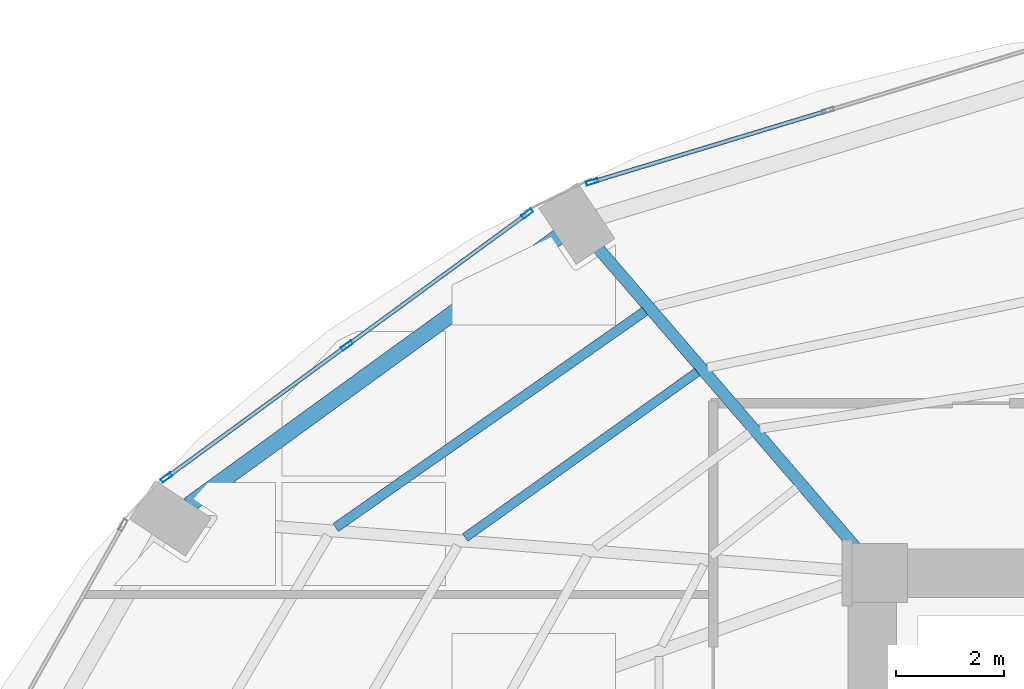
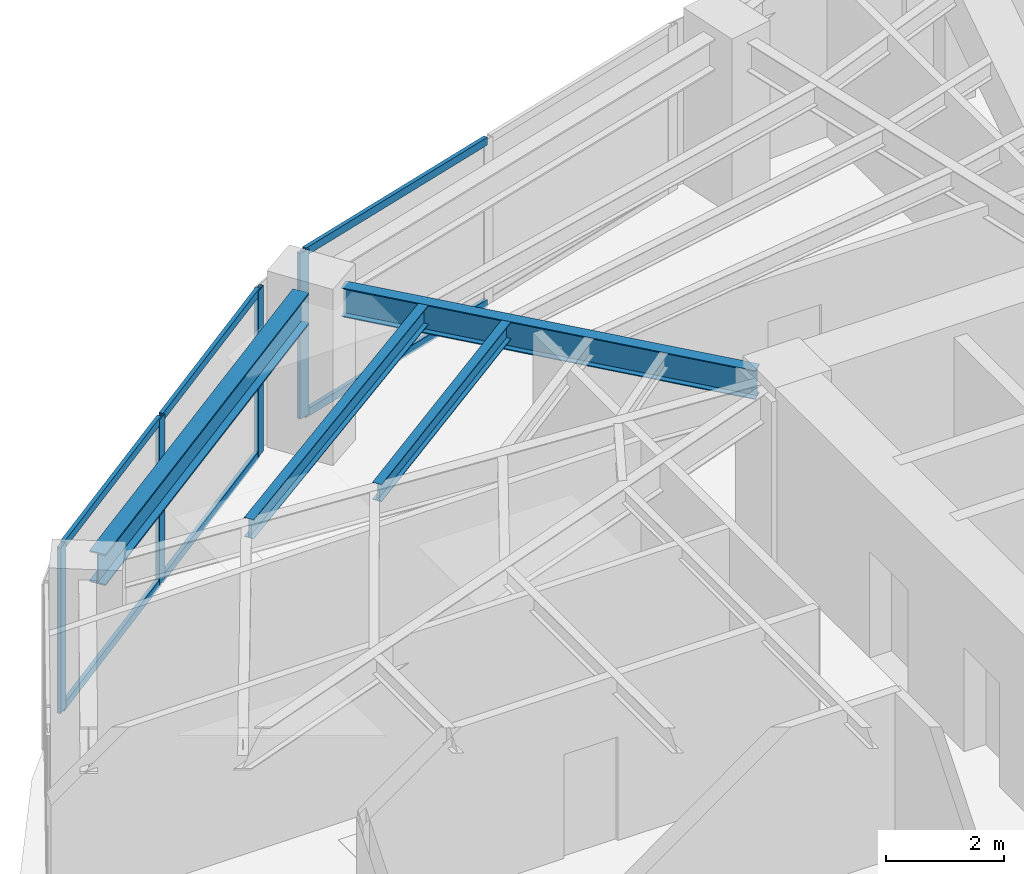
# One storey, part 14 of 25: 10 members, 4 beams, 2 elements without a shape of their own.
"""IFC4 building model written with IfcOpenShell, lengths in metres."""

from ifc_helpers import new_model, si_unit, direction, frame, origin, origin_2d, place, context, subcontext, project, spatial, hollow_rectangle, i_section, extrude, material, layer, layer_set, material_profile, profile_set, type_object, element, aggregate, save


model = new_model("IFC4")

# Units and contexts
model_context = context("Model", 3, precision=1e-05, world=origin(), true_north=direction((0.0, 1.0)))
body_context = subcontext(model_context, "Body", "Model", "MODEL_VIEW")
ifc_project = project(units=[si_unit("LENGTHUNIT", "METRE"), si_unit("AREAUNIT", "SQUARE_METRE"), si_unit("VOLUMEUNIT", "CUBIC_METRE"), si_unit("PLANEANGLEUNIT", "RADIAN"), si_unit("MASSUNIT", "GRAM", prefix="KILO")], contexts=[model_context])

# Site, building, storey
site_placement = place(None, origin())
site = spatial("IfcSite", under=ifc_project, at=site_placement, CompositionType="ELEMENT")
building_placement = place(site_placement, origin())
building = spatial("IfcBuilding", under=site, at=building_placement, Name="Lazwardi Medical Tower", CompositionType="ELEMENT")
storey_placement = place(building_placement, frame((0.0, 0.0, 43.43994140625)))
storey = spatial("IfcBuildingStorey", under=building, at=storey_placement, Name="L10", CompositionType="ELEMENT", Elevation=43.43994140625)

# Beams
ifc_material_1 = material(Name="Steel S355", Category="steel")
ifc_material_profile_1 = material_profile(ifc_material_1, i_section(OverallWidth=0.300048828125, OverallDepth=0.64990234375, WebThickness=0.01611328125, FlangeThickness=0.031005859375, at=origin_2d()), Name="HEB 650")
ifc_profile_set_1 = profile_set([ifc_material_profile_1], Name="Steel S355")
beam_type_1 = type_object("IfcBeamType", Name="BM-RB-Z1", PredefinedType="BEAM", material=ifc_profile_set_1)
beam_1_placement = place(storey_placement, frame((20.47900390625, 41.83740234375, 3.10302734375), z_axis=(-0.80939338516, -0.5872668457, 0.0), x_axis=(0.5872668457, -0.80939338516, 0.0)))
element("IfcBeam", 1, at=beam_1_placement, inside=storey, type_object=beam_type_1, Name="Ring beam RB-02 B10 L10", PredefinedType="BEAM", context=body_context, shape_type="SweptSolid", body=[
    extrude(i_section(OverallWidth=0.300048828125, OverallDepth=0.64990234375, WebThickness=0.01611328125, FlangeThickness=0.031005859375, at=origin_2d()), origin(), (0.0, 0.0, 1.0), 8.47412109375),
])
ifc_material_profile_2 = material_profile(ifc_material_1, i_section(OverallWidth=0.219970703125, OverallDepth=0.60009765625, WebThickness=0.011962890625, FlangeThickness=0.01904296875, at=origin_2d()), Name="IPE 600")
ifc_profile_set_2 = profile_set([ifc_material_profile_2], Name="Steel S355")
beam_type_2 = type_object("IfcBeamType", Name="BM-RG-W1", PredefinedType="BEAM", material=ifc_profile_set_2)
beam_2_placement = place(storey_placement, frame((21.197509765625, 41.644287109375, 3.128173828125), z_axis=(0.652368190463, -0.757902199543, 0.0), x_axis=(0.757902199543, 0.652368190463, 0.0)))
element("IfcBeam", 2, at=beam_2_placement, inside=storey, type_object=beam_type_2, Name="Radial girder RG-02 R10 L10", PredefinedType="BEAM", context=body_context, shape_type="SweptSolid", body=[
    extrude(i_section(OverallWidth=0.219970703125, OverallDepth=0.60009765625, WebThickness=0.011962890625, FlangeThickness=0.01904296875, at=origin_2d()), origin(), (0.0, 0.0, 1.0), 7.43994140625),
])
ifc_material_profile_3 = material_profile(ifc_material_1, i_section(OverallWidth=0.179931640625, OverallDepth=0.39990234375, WebThickness=0.008544921875, FlangeThickness=0.013427734375, at=origin_2d()), Name="IPE 400")
ifc_profile_set_3 = profile_set([ifc_material_profile_3], Name="Steel S355")
beam_type_3 = type_object("IfcBeamType", Name="BM-SJ-01", PredefinedType="JOIST", material=ifc_profile_set_3)
beam_3_placement = place(storey_placement, frame((22.08203125, 40.456298828125, 3.22802734375), z_axis=(-0.81942522483, -0.573186096231, 0.0), x_axis=(0.573186096231, -0.81942522483, 0.0)))
element("IfcBeam", 3, at=beam_3_placement, inside=storey, type_object=beam_type_3, Name="Secondary joist SJ-01 R1 B10 L10", PredefinedType="JOIST", context=body_context, shape_type="SweptSolid", body=[
    extrude(i_section(OverallWidth=0.179931640625, OverallDepth=0.39990234375, WebThickness=0.008544921875, FlangeThickness=0.013427734375, at=origin_2d()), origin(), (0.0, 0.0, 1.0), 6.999755859375),
])
ifc_material_profile_4 = material_profile(ifc_material_1, i_section(OverallWidth=0.169921875, OverallDepth=0.360107421875, WebThickness=0.008056640625, FlangeThickness=0.0126953125, at=origin_2d()), Name="IPE 360")
ifc_profile_set_4 = profile_set([ifc_material_profile_4], Name="Steel S355")
beam_type_4 = type_object("IfcBeamType", Name="BM-SJ-02", PredefinedType="JOIST", material=ifc_profile_set_4)
beam_4_placement = place(storey_placement, frame((23.05322265625, 39.327880859375, 3.248046875), z_axis=(-0.814341377136, -0.580386183058, 0.0), x_axis=(0.580386183058, -0.814341377136, 0.0)))
element("IfcBeam", 4, at=beam_4_placement, inside=storey, type_object=beam_type_4, Name="Secondary joist SJ-02 R2 B10 L10", PredefinedType="JOIST", context=body_context, shape_type="SweptSolid", body=[
    extrude(i_section(OverallWidth=0.169921875, OverallDepth=0.360107421875, WebThickness=0.008056640625, FlangeThickness=0.0126953125, at=origin_2d()), origin(), (0.0, 0.0, 1.0), 5.28759765625),
])

# Curtain wall, member
ifc_material_2 = material(Name="Anodised bronze aluminium and solar control glazing", Category="aluminium")
ifc_layer = layer(ifc_material_2, 0.199951171875)
ifc_layer_set = layer_set([ifc_layer], Name="Anodised bronze aluminium and solar control glazing")
curtain_wall_type = type_object("IfcCurtainWallType", Name="CW-SYS-02", PredefinedType="NOTDEFINED", material=ifc_layer_set)
curtain_wall_1_placement = place(storey_placement, origin())
curtain_wall_1 = element("IfcCurtainWall", 5, at=curtain_wall_1_placement, inside=storey, type_object=curtain_wall_type, Name="L10 Unitised bronze curtain wall CW-02", PredefinedType="NOTDEFINED")
ifc_material_3 = material(Name="Anodised bronze aluminium", Category="aluminium")
ifc_material_profile_5 = material_profile(ifc_material_3, hollow_rectangle(XDim=0.074951171875, YDim=0.219970703125, WallThickness=0.00390625, at=origin_2d()), Name="ALU-MULLION 220x75x4")
ifc_profile_set_5 = profile_set([ifc_material_profile_5], Name="Anodised bronze aluminium")
member_type_1 = type_object("IfcMemberType", Name="CW-MUL-01", PredefinedType="MULLION", material=ifc_profile_set_5)
member_1_placement = place(storey_placement, frame((21.1015625, 42.853271484375, 0.0), z_axis=(0.0, 0.0, 1.0), x_axis=(0.2898956909, -0.957058247129, 0.0)))
member_1 = element("IfcMember", 6, at=member_1_placement, type_object=member_type_1, Name="CW-02 mullion 3", PredefinedType="MULLION", context=body_context, shape_type="SweptSolid", body=[
    extrude(hollow_rectangle(XDim=0.074951171875, YDim=0.219970703125, WallThickness=0.00390625, at=origin_2d()), origin(), (0.0, 0.0, 1.0), 3.427978515625),
])

# Curtain wall, members
curtain_wall_2_placement = place(storey_placement, origin())
curtain_wall_2 = element("IfcCurtainWall", 7, at=curtain_wall_2_placement, inside=storey, type_object=curtain_wall_type, Name="L10 Unitised bronze curtain wall CW-02", PredefinedType="NOTDEFINED")
member_2_placement = place(storey_placement, frame((19.9013671875, 42.26611328125, 0.0), z_axis=(0.0, 0.0, 1.0), x_axis=(0.590289307341, -0.807191757663, 0.0)))
member_2 = element("IfcMember", 8, at=member_2_placement, type_object=member_type_1, Name="CW-02 mullion 1", PredefinedType="MULLION", context=body_context, shape_type="SweptSolid", body=[
    extrude(hollow_rectangle(XDim=0.074951171875, YDim=0.219970703125, WallThickness=0.00390625, at=origin_2d()), origin(), (0.0, 0.0, 1.0), 3.427978515625),
])
member_3_placement = place(storey_placement, frame((16.5556640625, 39.8193359375, 0.0), z_axis=(0.0, 0.0, 1.0), x_axis=(0.590289307341, -0.807191757663, 0.0)))
member_3 = element("IfcMember", 9, at=member_3_placement, type_object=member_type_1, Name="CW-02 mullion 2", PredefinedType="MULLION", context=body_context, shape_type="SweptSolid", body=[
    extrude(hollow_rectangle(XDim=0.074951171875, YDim=0.219970703125, WallThickness=0.00390625, at=origin_2d()), origin(), (0.0, 0.0, 1.0), 3.427978515625),
])
member_4_placement = place(storey_placement, frame((13.209716796875, 37.37255859375, 0.0), z_axis=(0.0, 0.0, 1.0), x_axis=(0.590289307341, -0.807191757663, 0.0)))
member_4 = element("IfcMember", 10, at=member_4_placement, type_object=member_type_1, Name="CW-02 mullion 3", PredefinedType="MULLION", context=body_context, shape_type="SweptSolid", body=[
    extrude(hollow_rectangle(XDim=0.074951171875, YDim=0.219970703125, WallThickness=0.00390625, at=origin_2d()), origin(), (0.0, 0.0, 1.0), 3.427978515625),
])

# Member
ifc_material_profile_6 = material_profile(ifc_material_3, hollow_rectangle(XDim=0.074951171875, YDim=0.159912109375, WallThickness=0.00390625, at=origin_2d()), Name="ALU-TRANSOM 160x75x4")
ifc_profile_set_6 = profile_set([ifc_material_profile_6], Name="Anodised bronze aluminium")
member_type_2 = type_object("IfcMemberType", Name="CW-TRN-01", PredefinedType="USERDEFINED", material=ifc_profile_set_6)
member_5_placement = place(storey_placement, frame((25.44091796875, 44.16748046875, 0.03759765625), z_axis=(-0.957062297904, -0.289882317383, 0.0), x_axis=(0.289882317383, -0.957062297904, 0.0)))
member_5 = element("IfcMember", 11, at=member_5_placement, type_object=member_type_2, Name="CW-02 transom 2.1", ObjectType="TRANSOM", PredefinedType="USERDEFINED", context=body_context, shape_type="SweptSolid", body=[
    extrude(hollow_rectangle(XDim=0.074951171875, YDim=0.159912109375, WallThickness=0.00390625, at=origin_2d()), origin(), (0.0, 0.0, 1.0), 4.49658203125),
])

member_6_placement = place(storey_placement, frame((25.44091796875, 44.16748046875, 3.390625), z_axis=(-0.957062297904, -0.289882317383, 0.0), x_axis=(0.289882317383, -0.957062297904, 0.0)))
member_6 = element("IfcMember", 12, at=member_6_placement, type_object=member_type_2, Name="CW-02 transom 2.2", ObjectType="TRANSOM", PredefinedType="USERDEFINED", context=body_context, shape_type="SweptSolid", body=[
    extrude(hollow_rectangle(XDim=0.074951171875, YDim=0.159912109375, WallThickness=0.00390625, at=origin_2d()), origin(), (0.0, 0.0, 1.0), 4.49658203125),
])

aggregate(curtain_wall_1, [member_1, member_5, member_6])

member_7_placement = place(storey_placement, frame((19.87109375, 42.243896484375, 0.03759765625), z_axis=(-0.807197636578, -0.590281268128, 0.0), x_axis=(0.590281268128, -0.807197636578, 0.0)))
member_7 = element("IfcMember", 13, at=member_7_placement, type_object=member_type_2, Name="CW-02 transom 1.1", ObjectType="TRANSOM", PredefinedType="USERDEFINED", context=body_context, shape_type="SweptSolid", body=[
    extrude(hollow_rectangle(XDim=0.074951171875, YDim=0.159912109375, WallThickness=0.00390625, at=origin_2d()), origin(), (0.0, 0.0, 1.0), 4.06982421875),
])

member_8_placement = place(storey_placement, frame((19.87109375, 42.243896484375, 3.390625), z_axis=(-0.807197636578, -0.590281268128, 0.0), x_axis=(0.590281268128, -0.807197636578, 0.0)))
member_8 = element("IfcMember", 14, at=member_8_placement, type_object=member_type_2, Name="CW-02 transom 1.2", ObjectType="TRANSOM", PredefinedType="USERDEFINED", context=body_context, shape_type="SweptSolid", body=[
    extrude(hollow_rectangle(XDim=0.074951171875, YDim=0.159912109375, WallThickness=0.00390625, at=origin_2d()), origin(), (0.0, 0.0, 1.0), 4.06982421875),
])

member_9_placement = place(storey_placement, frame((16.525390625, 39.797119140625, 0.03759765625), z_axis=(-0.807218536774, -0.590252686472, 0.0), x_axis=(0.590252686472, -0.807218536774, 0.0)))
member_9 = element("IfcMember", 15, at=member_9_placement, type_object=member_type_2, Name="CW-02 transom 2.1", ObjectType="TRANSOM", PredefinedType="USERDEFINED", context=body_context, shape_type="SweptSolid", body=[
    extrude(hollow_rectangle(XDim=0.074951171875, YDim=0.159912109375, WallThickness=0.00390625, at=origin_2d()), origin(), (0.0, 0.0, 1.0), 4.070068359375),
])

member_10_placement = place(storey_placement, frame((16.525390625, 39.797119140625, 3.390625), z_axis=(-0.807218536774, -0.590252686472, 0.0), x_axis=(0.590252686472, -0.807218536774, 0.0)))
member_10 = element("IfcMember", 16, at=member_10_placement, type_object=member_type_2, Name="CW-02 transom 2.2", ObjectType="TRANSOM", PredefinedType="USERDEFINED", context=body_context, shape_type="SweptSolid", body=[
    extrude(hollow_rectangle(XDim=0.074951171875, YDim=0.159912109375, WallThickness=0.00390625, at=origin_2d()), origin(), (0.0, 0.0, 1.0), 4.070068359375),
])

aggregate(curtain_wall_2, [member_2, member_3, member_4, member_7, member_8, member_9, member_10])

save(model, "model.ifc")
